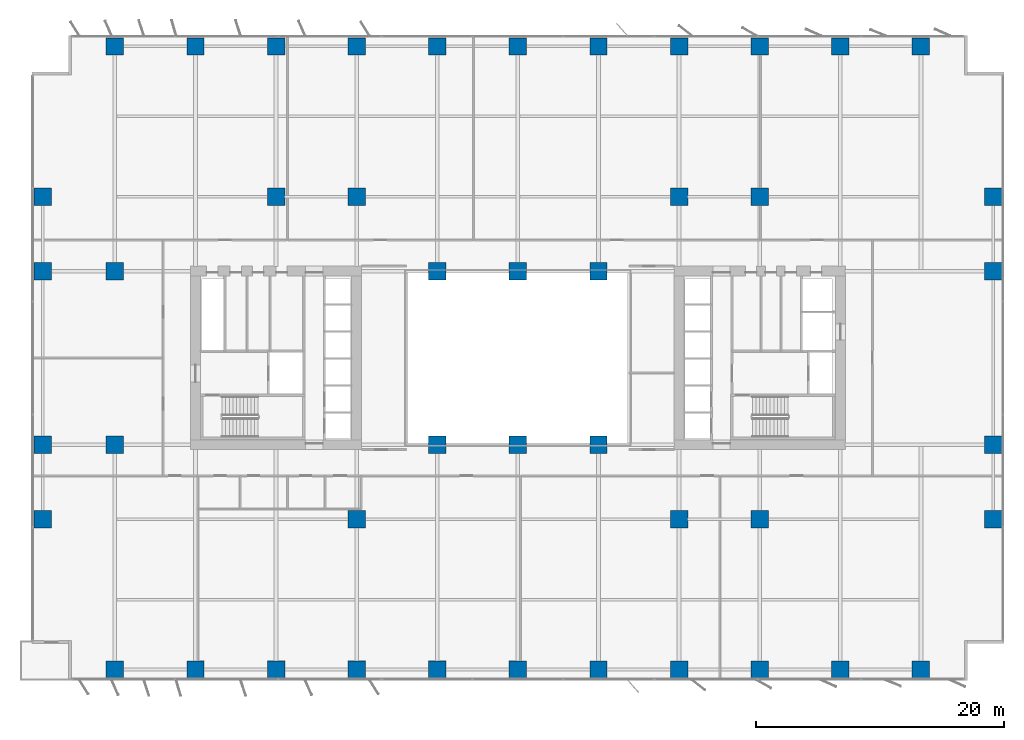
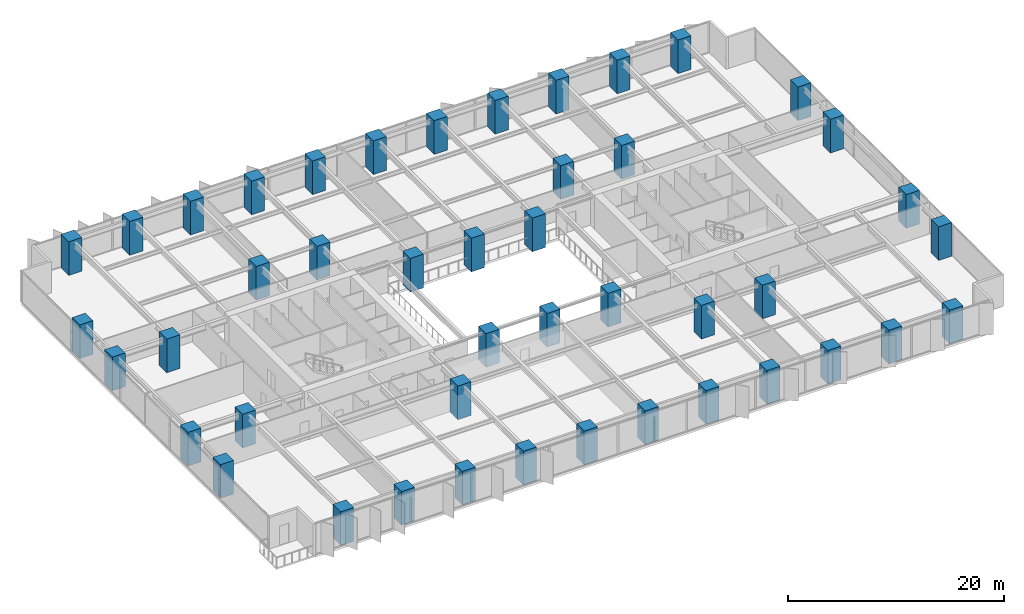
# One storey, part 1 of 21: 45 columns.
"""IFC4 building model written with IfcOpenShell, lengths in metres."""

from ifc_helpers import new_model, si_unit, direction, frame, origin, origin_2d, place, context, subcontext, project, spatial, rectangle, extrude, material, material_profile, profile_set, type_object, element, save


model = new_model("IFC4")

# Units and contexts
model_context = context("Model", 3, precision=1e-05, world=origin(), true_north=direction((0.0, 1.0)))
body_context = subcontext(model_context, "Body", "Model", "MODEL_VIEW")
ifc_project = project(units=[si_unit("LENGTHUNIT", "METRE"), si_unit("AREAUNIT", "SQUARE_METRE"), si_unit("VOLUMEUNIT", "CUBIC_METRE"), si_unit("PLANEANGLEUNIT", "RADIAN"), si_unit("MASSUNIT", "GRAM", prefix="KILO")], contexts=[model_context])

# Site, building, storey
site_placement = place(None, origin())
site = spatial("IfcSite", under=ifc_project, at=site_placement, CompositionType="ELEMENT")
building_placement = place(site_placement, origin())
building = spatial("IfcBuilding", under=site, at=building_placement, Name="Putna Gate Headquarters", CompositionType="ELEMENT")
storey_placement = place(building_placement, frame((0.0, 0.0, 39.199951171875)))
storey = spatial("IfcBuildingStorey", under=building, at=storey_placement, Name="L08", CompositionType="ELEMENT", Elevation=39.199951171875)

# Columns
ifc_material = material(Name="Concrete C60/75", Category="concrete")
ifc_material_profile_1 = material_profile(ifc_material, rectangle(XDim=1.39990234375, YDim=1.39990234375, at=origin_2d()), Name="Concrete C60/75")
ifc_profile_set_1 = profile_set([ifc_material_profile_1], Name="Concrete C60/75")
column_type_1 = type_object("IfcColumnType", Name="COL-RC1400-EXT", PredefinedType="COLUMN", material=ifc_profile_set_1)
for number, where, z_axis, x_axis, name in (
    (1, (6.5, 0.8798828125, 0.0), (0.0, 0.0, 1.0), (1.0, 0.0, 0.0), "L08 Column CP-S6"),
    (2, (6.5, 51.1201171875, 0.0), (0.0, 0.0, 1.0), (1.0, 0.0, 0.0), "L08 Column CP-N6"),
    (3, (13.0, 0.8798828125, 0.0), (0.0, 0.0, 1.0), (1.0, 0.0, 0.0), "L08 Column CP-S13"),
    (4, (13.0, 51.1201171875, 0.0), (0.0, 0.0, 1.0), (1.0, 0.0, 0.0), "L08 Column CP-N13"),
    (5, (19.5, 0.8798828125, 0.0), (0.0, 0.0, 1.0), (1.0, 0.0, 0.0), "L08 Column CP-S19"),
    (6, (19.5, 51.1201171875, 0.0), (0.0, 0.0, 1.0), (1.0, 0.0, 0.0), "L08 Column CP-N19"),
    (7, (26.0, 0.8798828125, 0.0), (0.0, 0.0, 1.0), (1.0, 0.0, 0.0), "L08 Column CP-S26"),
    (8, (26.0, 51.1201171875, 0.0), (0.0, 0.0, 1.0), (1.0, 0.0, 0.0), "L08 Column CP-N26"),
    (9, (32.5, 0.8798828125, 0.0), (0.0, 0.0, 1.0), (1.0, 0.0, 0.0), "L08 Column CP-S32"),
    (10, (32.5, 51.1201171875, 0.0), (0.0, 0.0, 1.0), (1.0, 0.0, 0.0), "L08 Column CP-N32"),
    (11, (39.0, 0.8798828125, 0.0), (0.0, 0.0, 1.0), (1.0, 0.0, 0.0), "L08 Column CP-S39"),
    (12, (39.0, 51.1201171875, 0.0), (0.0, 0.0, 1.0), (1.0, 0.0, 0.0), "L08 Column CP-N39"),
    (13, (45.5, 0.8798828125, 0.0), (0.0, 0.0, 1.0), (1.0, 0.0, 0.0), "L08 Column CP-S45"),
    (14, (45.5, 51.1201171875, 0.0), (0.0, 0.0, 1.0), (1.0, 0.0, 0.0), "L08 Column CP-N45"),
    (15, (52.0, 0.8798828125, 0.0), (0.0, 0.0, 1.0), (1.0, 0.0, 0.0), "L08 Column CP-S52"),
    (16, (52.0, 51.1201171875, 0.0), (0.0, 0.0, 1.0), (1.0, 0.0, 0.0), "L08 Column CP-N52"),
    (17, (58.5, 0.8798828125, 0.0), (0.0, 0.0, 1.0), (1.0, 0.0, 0.0), "L08 Column CP-S58"),
    (18, (58.5, 51.1201171875, 0.0), (0.0, 0.0, 1.0), (1.0, 0.0, 0.0), "L08 Column CP-N58"),
    (19, (65.0, 0.8798828125, 0.0), (0.0, 0.0, 1.0), (1.0, 0.0, 0.0), "L08 Column CP-S65"),
    (20, (65.0, 51.1201171875, 0.0), (0.0, 0.0, 1.0), (1.0, 0.0, 0.0), "L08 Column CP-N65"),
    (21, (71.5, 0.8798828125, 0.0), (0.0, 0.0, 1.0), (1.0, 0.0, 0.0), "L08 Column CP-S71"),
    (22, (71.5, 51.1201171875, 0.0), (0.0, 0.0, 1.0), (1.0, 0.0, 0.0), "L08 Column CP-N71"),
    (23, (0.679931640625, 13.0, 0.0), (0.0, 0.0, 1.0), (1.0, 0.0, 0.0), "L08 Column CP-W13"),
    (24, (77.320068359375, 13.0, 0.0), (0.0, 0.0, 1.0), (1.0, 0.0, 0.0), "L08 Column CP-E13"),
    (25, (0.679931640625, 19.0, 0.0), (0.0, 0.0, 1.0), (1.0, 0.0, 0.0), "L08 Column CP-W19"),
    (26, (77.320068359375, 19.0, 0.0), (0.0, 0.0, 1.0), (1.0, 0.0, 0.0), "L08 Column CP-E19"),
    (27, (0.679931640625, 33.0, 0.0), (0.0, 0.0, 1.0), (1.0, 0.0, 0.0), "L08 Column CP-W33"),
    (28, (77.320068359375, 33.0, 0.0), (0.0, 0.0, 1.0), (1.0, 0.0, 0.0), "L08 Column CP-E33"),
    (29, (0.679931640625, 39.0, 0.0), (0.0, 0.0, 1.0), (1.0, 0.0, 0.0), "L08 Column CP-W39"),
    (30, (77.320068359375, 39.0, 0.0), (0.0, 0.0, 1.0), (1.0, 0.0, 0.0), "L08 Column CP-E39"),
):
    element("IfcColumn", number, at=place(storey_placement, frame(where, z_axis=z_axis, x_axis=x_axis)), inside=storey, type_object=column_type_1, Name=name, PredefinedType="COLUMN", context=body_context, shape_type="SweptSolid", body=[
        extrude(rectangle(XDim=1.39990234375, YDim=1.39990234375, at=origin_2d()), origin(), (0.0, 0.0, 1.0), 3.800048828125),
    ])
ifc_material_profile_2 = material_profile(ifc_material, rectangle(XDim=1.39990234375, YDim=1.39990234375, at=origin_2d()), Name="Concrete C60/75")
ifc_profile_set_2 = profile_set([ifc_material_profile_2], Name="Concrete C60/75")
column_type_2 = type_object("IfcColumnType", Name="COL-RC1400-INT", PredefinedType="COLUMN", material=ifc_profile_set_2)
for number, where, z_axis, x_axis, name in (
    (31, (19.5, 39.0, 0.0), (0.0, 0.0, 1.0), (1.0, 0.0, 0.0), "L08 Column CSI-WN"),
    (32, (58.5, 13.0, 0.0), (0.0, 0.0, 1.0), (1.0, 0.0, 0.0), "L08 Column CSI-ES"),
    (33, (58.5, 39.0, 0.0), (0.0, 0.0, 1.0), (1.0, 0.0, 0.0), "L08 Column CSI-EN"),
    (34, (6.5, 19.0, 0.0), (0.0, 0.0, 1.0), (1.0, 0.0, 0.0), "L08 Column CSI-WM"),
    (35, (6.5, 33.0, 0.0), (0.0, 0.0, 1.0), (1.0, 0.0, 0.0), "L08 Column CSI-WNW"),
    (36, (32.5, 19.0, 0.0), (0.0, 0.0, 1.0), (1.0, 0.0, 0.0), "L08 Column CAI-S32"),
    (37, (32.5, 33.0, 0.0), (0.0, 0.0, 1.0), (1.0, 0.0, 0.0), "L08 Column CAI-N32"),
    (38, (39.0, 19.0, 0.0), (0.0, 0.0, 1.0), (1.0, 0.0, 0.0), "L08 Column CAI-S39"),
    (39, (39.0, 33.0, 0.0), (0.0, 0.0, 1.0), (1.0, 0.0, 0.0), "L08 Column CAI-N39"),
    (40, (45.5, 19.0, 0.0), (0.0, 0.0, 1.0), (1.0, 0.0, 0.0), "L08 Column CAI-S45"),
    (41, (45.5, 33.0, 0.0), (0.0, 0.0, 1.0), (1.0, 0.0, 0.0), "L08 Column CAI-N45"),
    (42, (26.0, 13.0, 0.0), (0.0, 0.0, 1.0), (1.0, 0.0, 0.0), "L08 Column CAP-WS"),
    (43, (26.0, 39.0, 0.0), (0.0, 0.0, 1.0), (1.0, 0.0, 0.0), "L08 Column CAP-WN"),
    (44, (52.0, 13.0, 0.0), (0.0, 0.0, 1.0), (1.0, 0.0, 0.0), "L08 Column CAP-ES"),
    (45, (52.0, 39.0, 0.0), (0.0, 0.0, 1.0), (1.0, 0.0, 0.0), "L08 Column CAP-EN"),
):
    element("IfcColumn", number, at=place(storey_placement, frame(where, z_axis=z_axis, x_axis=x_axis)), inside=storey, type_object=column_type_2, Name=name, PredefinedType="COLUMN", context=body_context, shape_type="SweptSolid", body=[
        extrude(rectangle(XDim=1.39990234375, YDim=1.39990234375, at=origin_2d()), origin(), (0.0, 0.0, 1.0), 3.800048828125),
    ])

save(model, "model.ifc")
